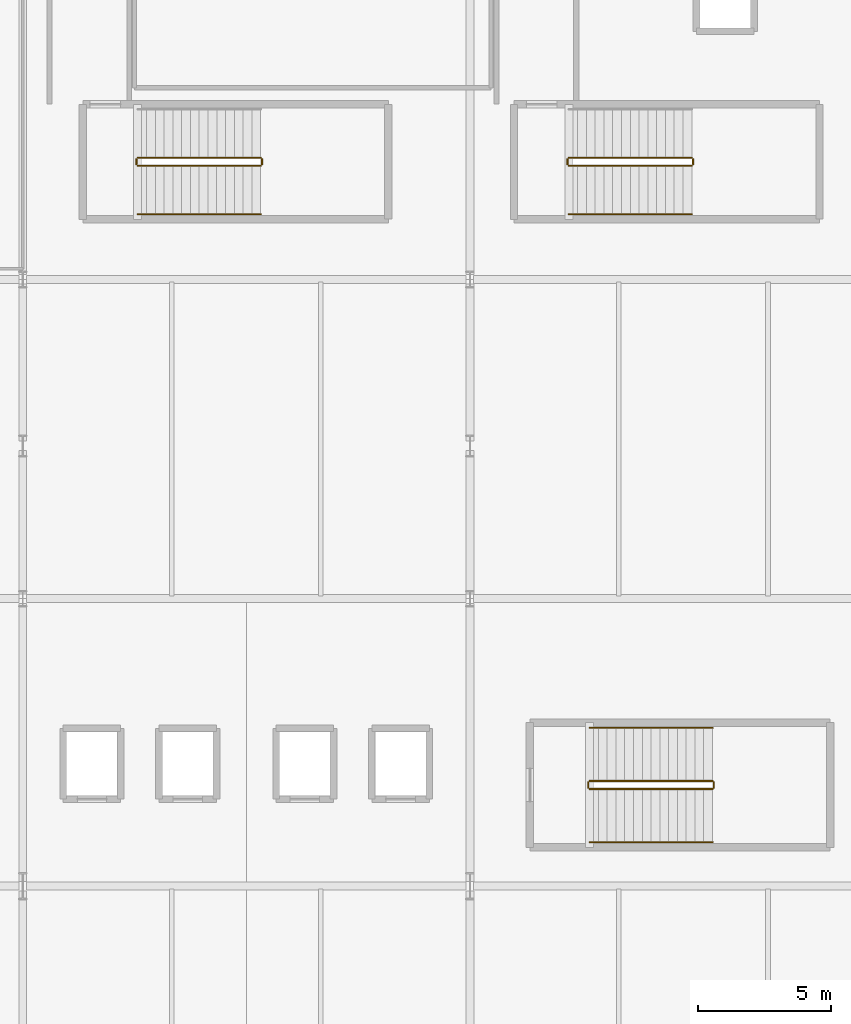
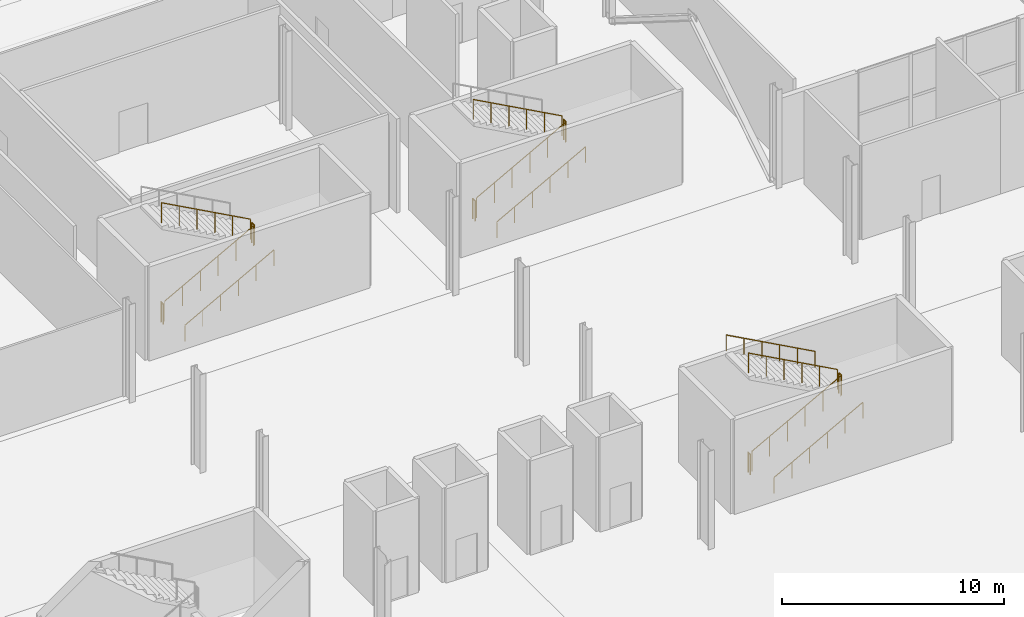
# One storey, part 78 of 87: 16 railings.
"""IFC4 building model written with IfcOpenShell, lengths in metres."""

from ifc_helpers import new_model, si_unit, direction, frame, origin, origin_2d, place, context, subcontext, project, spatial, circle, extrude, material, type_object, element, save


model = new_model("IFC4")

# Units and contexts
model_context = context("Model", 3, precision=1e-05, world=origin(), true_north=direction((0.0, 1.0)))
body_context = subcontext(model_context, "Body", "Model", "MODEL_VIEW")
ifc_project = project(units=[si_unit("LENGTHUNIT", "METRE"), si_unit("AREAUNIT", "SQUARE_METRE"), si_unit("VOLUMEUNIT", "CUBIC_METRE"), si_unit("PLANEANGLEUNIT", "RADIAN"), si_unit("MASSUNIT", "GRAM", prefix="KILO")], contexts=[model_context])

# Site, building, storey
site_placement = place(None, origin())
site = spatial("IfcSite", under=ifc_project, at=site_placement, CompositionType="ELEMENT")
building_placement = place(site_placement, origin())
building = spatial("IfcBuilding", under=site, at=building_placement, Name="Kimbaza Rail Terminus", CompositionType="ELEMENT")
storey_placement = place(building_placement, origin())
storey = spatial("IfcBuildingStorey", under=building, at=storey_placement, Name="L00", CompositionType="ELEMENT", Elevation=0.0)

# Railings
ifc_material_1 = material(Name="Brushed stainless steel handrail", Category="steel")
railing_type_1 = type_object("IfcRailingType", Name="ARC-RL-HND92", PredefinedType="HANDRAIL", material=ifc_material_1)
railing_1_placement = place(storey_placement, frame((109.919921875, 105.449951171875, 0.179931640625)))
element("IfcRailing", 1, at=railing_1_placement, inside=storey, type_object=railing_type_1, Name="L00 ST-M1 stair handrail 1", PredefinedType="HANDRAIL", context=body_context, shape_type="SweptSolid", body=[
    extrude(circle(Radius=0.02392578125, at=origin_2d()), frame((0.0, 0.0, 0.8759765625), z_axis=(0.877899118682, 0.0, 0.478845630049), x_axis=(0.0, 1.0, 0.0)), (0.0, 0.0, 1.0), 5.2626953125),
    extrude(circle(Radius=0.02099609375, at=origin_2d()), origin(), (0.0, 0.0, 1.0), 0.851806640625),
    extrude(circle(Radius=0.02099609375, at=origin_2d()), frame((0.924072265625, 0.0, 0.50390625)), (0.0, 0.0, 1.0), 0.851806640625),
    extrude(circle(Radius=0.02099609375, at=origin_2d()), frame((1.84814453125, 0.0, 1.008056640625)), (0.0, 0.0, 1.0), 0.851806640625),
    extrude(circle(Radius=0.02099609375, at=origin_2d()), frame((2.77197265625, 0.0, 1.511962890625)), (0.0, 0.0, 1.0), 0.851806640625),
    extrude(circle(Radius=0.02099609375, at=origin_2d()), frame((3.696044921875, 0.0, 2.01611328125)), (0.0, 0.0, 1.0), 0.851806640625),
    extrude(circle(Radius=0.02099609375, at=origin_2d()), frame((4.6201171875, 0.0, 2.52001953125)), (0.0, 0.0, 1.0), 0.851806640625),
])
railing_2_placement = place(storey_placement, frame((126.1201171875, 105.449951171875, 0.179931640625)))
element("IfcRailing", 2, at=railing_2_placement, inside=storey, type_object=railing_type_1, Name="L00 ST-E1 stair handrail 1", PredefinedType="HANDRAIL", context=body_context, shape_type="SweptSolid", body=[
    extrude(circle(Radius=0.02392578125, at=origin_2d()), frame((0.0, 0.0, 0.8759765625), z_axis=(0.877888480945, 0.0, 0.478865132395), x_axis=(0.0, 1.0, 0.0)), (0.0, 0.0, 1.0), 5.262451171875),
    extrude(circle(Radius=0.02099609375, at=origin_2d()), origin(), (0.0, 0.0, 1.0), 0.851806640625),
    extrude(circle(Radius=0.02099609375, at=origin_2d()), frame((0.924072265625, 0.0, 0.50390625)), (0.0, 0.0, 1.0), 0.851806640625),
    extrude(circle(Radius=0.02099609375, at=origin_2d()), frame((1.847900390625, 0.0, 1.008056640625)), (0.0, 0.0, 1.0), 0.851806640625),
    extrude(circle(Radius=0.02099609375, at=origin_2d()), frame((2.77197265625, 0.0, 1.511962890625)), (0.0, 0.0, 1.0), 0.851806640625),
    extrude(circle(Radius=0.02099609375, at=origin_2d()), frame((3.69580078125, 0.0, 2.01611328125)), (0.0, 0.0, 1.0), 0.851806640625),
    extrude(circle(Radius=0.02099609375, at=origin_2d()), frame((4.619873046875, 0.0, 2.52001953125)), (0.0, 0.0, 1.0), 0.851806640625),
])
railing_3_placement = place(storey_placement, frame((126.89990234375, 81.85009765625, 0.179931640625)))
element("IfcRailing", 3, at=railing_3_placement, inside=storey, type_object=railing_type_1, Name="L00 ST-C4 stair handrail 1", PredefinedType="HANDRAIL", context=body_context, shape_type="SweptSolid", body=[
    extrude(circle(Radius=0.02392578125, at=origin_2d()), frame((0.0, 0.0, 0.8759765625), z_axis=(0.877899118682, 0.0, 0.478845630049), x_axis=(0.0, 1.0, 0.0)), (0.0, 0.0, 1.0), 5.2626953125),
    extrude(circle(Radius=0.02099609375, at=origin_2d()), origin(), (0.0, 0.0, 1.0), 0.851806640625),
    extrude(circle(Radius=0.02099609375, at=origin_2d()), frame((0.924072265625, 0.0, 0.50390625)), (0.0, 0.0, 1.0), 0.851806640625),
    extrude(circle(Radius=0.02099609375, at=origin_2d()), frame((1.84814453125, 0.0, 1.008056640625)), (0.0, 0.0, 1.0), 0.851806640625),
    extrude(circle(Radius=0.02099609375, at=origin_2d()), frame((2.77197265625, 0.0, 1.511962890625)), (0.0, 0.0, 1.0), 0.851806640625),
    extrude(circle(Radius=0.02099609375, at=origin_2d()), frame((3.696044921875, 0.0, 2.01611328125)), (0.0, 0.0, 1.0), 0.851806640625),
    extrude(circle(Radius=0.02099609375, at=origin_2d()), frame((4.6201171875, 0.0, 2.52001953125)), (0.0, 0.0, 1.0), 0.851806640625),
])
railing_4_placement = place(storey_placement, frame((131.52001953125, 86.14990234375, 2.8798828125)))
element("IfcRailing", 4, at=railing_4_placement, inside=storey, type_object=railing_type_1, Name="L00 ST-C4 stair handrail 2", PredefinedType="HANDRAIL", context=body_context, shape_type="SweptSolid", body=[
    extrude(circle(Radius=0.02392578125, at=origin_2d()), frame((0.0, 0.0, 0.8759765625), z_axis=(-0.877899118682, 0.0, 0.478845630049), x_axis=(0.0, -1.0, 0.0)), (0.0, 0.0, 1.0), 5.2626953125),
    extrude(circle(Radius=0.02099609375, at=origin_2d()), origin(), (0.0, 0.0, 1.0), 0.851806640625),
    extrude(circle(Radius=0.02099609375, at=origin_2d()), frame((-0.924072265625, 0.0, 0.50390625)), (0.0, 0.0, 1.0), 0.851806640625),
    extrude(circle(Radius=0.02099609375, at=origin_2d()), frame((-1.84814453125, 0.0, 1.008056640625)), (0.0, 0.0, 1.0), 0.851806640625),
    extrude(circle(Radius=0.02099609375, at=origin_2d()), frame((-2.77197265625, 0.0, 1.511962890625)), (0.0, 0.0, 1.0), 0.851806640625),
    extrude(circle(Radius=0.02099609375, at=origin_2d()), frame((-3.696044921875, 0.0, 2.01611328125)), (0.0, 0.0, 1.0), 0.851806640625),
    extrude(circle(Radius=0.02099609375, at=origin_2d()), frame((-4.6201171875, 0.0, 2.52001953125)), (0.0, 0.0, 1.0), 0.851806640625),
])
ifc_material_2 = material(Name="Painted tubular steel stair well guard", Category="steel")
railing_type_2 = type_object("IfcRailingType", Name="ARC-RL-STGRD", PredefinedType="GUARDRAIL", material=ifc_material_2)
railing_5_placement = place(storey_placement, frame((109.919921875, 107.27001953125, 0.179931640625)))
element("IfcRailing", 5, at=railing_5_placement, inside=storey, type_object=railing_type_2, Name="L00 ST-M1 stair guard 1", PredefinedType="GUARDRAIL", context=body_context, shape_type="SweptSolid", body=[
    extrude(circle(Radius=0.02392578125, at=origin_2d()), frame((0.0, 0.0, 1.09619140625), z_axis=(0.877899118682, 0.0, 0.478845630049), x_axis=(0.0, 1.0, 0.0)), (0.0, 0.0, 1.0), 5.2626953125),
    extrude(circle(Radius=0.02099609375, at=origin_2d()), origin(), (0.0, 0.0, 1.0), 1.072021484375),
    extrude(circle(Radius=0.02099609375, at=origin_2d()), frame((0.924072265625, 0.0, 0.50390625)), (0.0, 0.0, 1.0), 1.072021484375),
    extrude(circle(Radius=0.02099609375, at=origin_2d()), frame((1.84814453125, 0.0, 1.008056640625)), (0.0, 0.0, 1.0), 1.072021484375),
    extrude(circle(Radius=0.02099609375, at=origin_2d()), frame((2.77197265625, 0.0, 1.511962890625)), (0.0, 0.0, 1.0), 1.072021484375),
    extrude(circle(Radius=0.02099609375, at=origin_2d()), frame((3.696044921875, 0.0, 2.01611328125)), (0.0, 0.0, 1.0), 1.072021484375),
    extrude(circle(Radius=0.02099609375, at=origin_2d()), frame((4.6201171875, 0.0, 2.52001953125)), (0.0, 0.0, 1.0), 1.072021484375),
])
railing_6_placement = place(storey_placement, frame((114.590087890625, 107.320068359375, 2.699951171875)))
element("IfcRailing", 6, at=railing_6_placement, inside=storey, type_object=railing_type_2, Name="L00 ST-M1 stair guard 2", PredefinedType="GUARDRAIL", context=body_context, shape_type="SweptSolid", body=[
    extrude(circle(Radius=0.02392578125, at=origin_2d()), frame((0.0, 0.0, 1.09619140625), z_axis=(0.0, 1.0, 0.0), x_axis=(-1.0, 0.0, 0.0)), (0.0, 0.0, 1.0), 0.199951171875),
    extrude(circle(Radius=0.02099609375, at=origin_2d()), origin(), (0.0, 0.0, 1.0), 1.072021484375),
    extrude(circle(Radius=0.02099609375, at=origin_2d()), frame((0.0, 0.199951171875, 0.0)), (0.0, 0.0, 1.0), 1.072021484375),
])
railing_7_placement = place(storey_placement, frame((114.5400390625, 107.570068359375, 2.8798828125)))
element("IfcRailing", 7, at=railing_7_placement, inside=storey, type_object=railing_type_2, Name="L00 ST-M1 stair guard 3", PredefinedType="GUARDRAIL", context=body_context, shape_type="SweptSolid", body=[
    extrude(circle(Radius=0.02392578125, at=origin_2d()), frame((0.0, 0.0, 1.09619140625), z_axis=(-0.877899118682, 0.0, 0.478845630049), x_axis=(0.0, -1.0, 0.0)), (0.0, 0.0, 1.0), 5.2626953125),
    extrude(circle(Radius=0.02099609375, at=origin_2d()), origin(), (0.0, 0.0, 1.0), 1.072021484375),
    extrude(circle(Radius=0.02099609375, at=origin_2d()), frame((-0.924072265625, 0.0, 0.50390625)), (0.0, 0.0, 1.0), 1.072021484375),
    extrude(circle(Radius=0.02099609375, at=origin_2d()), frame((-1.84814453125, 0.0, 1.008056640625)), (0.0, 0.0, 1.0), 1.072021484375),
    extrude(circle(Radius=0.02099609375, at=origin_2d()), frame((-2.77197265625, 0.0, 1.511962890625)), (0.0, 0.0, 1.0), 1.072021484375),
    extrude(circle(Radius=0.02099609375, at=origin_2d()), frame((-3.696044921875, 0.0, 2.01611328125)), (0.0, 0.0, 1.0), 1.072021484375),
    extrude(circle(Radius=0.02099609375, at=origin_2d()), frame((-4.6201171875, 0.0, 2.52001953125)), (0.0, 0.0, 1.0), 1.072021484375),
])
railing_8_placement = place(storey_placement, frame((109.8701171875, 107.320068359375, 0.0)))
element("IfcRailing", 8, at=railing_8_placement, inside=storey, type_object=railing_type_2, Name="L00 ST-M1 stair guard 4", PredefinedType="GUARDRAIL", context=body_context, shape_type="SweptSolid", body=[
    extrude(circle(Radius=0.02392578125, at=origin_2d()), frame((0.0, 0.0, 1.09619140625), z_axis=(0.0, 1.0, 0.0), x_axis=(-1.0, 0.0, 0.0)), (0.0, 0.0, 1.0), 0.199951171875),
    extrude(circle(Radius=0.02099609375, at=origin_2d()), origin(), (0.0, 0.0, 1.0), 1.072021484375),
    extrude(circle(Radius=0.02099609375, at=origin_2d()), frame((0.0, 0.199951171875, 0.0)), (0.0, 0.0, 1.0), 1.072021484375),
])
railing_9_placement = place(storey_placement, frame((126.1201171875, 107.27001953125, 0.179931640625)))
element("IfcRailing", 9, at=railing_9_placement, inside=storey, type_object=railing_type_2, Name="L00 ST-E1 stair guard 1", PredefinedType="GUARDRAIL", context=body_context, shape_type="SweptSolid", body=[
    extrude(circle(Radius=0.02392578125, at=origin_2d()), frame((0.0, 0.0, 1.09619140625), z_axis=(0.877888480945, 0.0, 0.478865132395), x_axis=(0.0, 1.0, 0.0)), (0.0, 0.0, 1.0), 5.262451171875),
    extrude(circle(Radius=0.02099609375, at=origin_2d()), origin(), (0.0, 0.0, 1.0), 1.072021484375),
    extrude(circle(Radius=0.02099609375, at=origin_2d()), frame((0.924072265625, 0.0, 0.50390625)), (0.0, 0.0, 1.0), 1.072021484375),
    extrude(circle(Radius=0.02099609375, at=origin_2d()), frame((1.847900390625, 0.0, 1.008056640625)), (0.0, 0.0, 1.0), 1.072021484375),
    extrude(circle(Radius=0.02099609375, at=origin_2d()), frame((2.77197265625, 0.0, 1.511962890625)), (0.0, 0.0, 1.0), 1.072021484375),
    extrude(circle(Radius=0.02099609375, at=origin_2d()), frame((3.69580078125, 0.0, 2.01611328125)), (0.0, 0.0, 1.0), 1.072021484375),
    extrude(circle(Radius=0.02099609375, at=origin_2d()), frame((4.619873046875, 0.0, 2.52001953125)), (0.0, 0.0, 1.0), 1.072021484375),
])
railing_10_placement = place(storey_placement, frame((130.7900390625, 107.320068359375, 2.699951171875)))
element("IfcRailing", 10, at=railing_10_placement, inside=storey, type_object=railing_type_2, Name="L00 ST-E1 stair guard 2", PredefinedType="GUARDRAIL", context=body_context, shape_type="SweptSolid", body=[
    extrude(circle(Radius=0.02392578125, at=origin_2d()), frame((0.0, 0.0, 1.09619140625), z_axis=(0.0, 1.0, 0.0), x_axis=(-1.0, 0.0, 0.0)), (0.0, 0.0, 1.0), 0.199951171875),
    extrude(circle(Radius=0.02099609375, at=origin_2d()), origin(), (0.0, 0.0, 1.0), 1.072021484375),
    extrude(circle(Radius=0.02099609375, at=origin_2d()), frame((0.0, 0.199951171875, 0.0)), (0.0, 0.0, 1.0), 1.072021484375),
])
railing_11_placement = place(storey_placement, frame((130.739990234375, 107.570068359375, 2.8798828125)))
element("IfcRailing", 11, at=railing_11_placement, inside=storey, type_object=railing_type_2, Name="L00 ST-E1 stair guard 3", PredefinedType="GUARDRAIL", context=body_context, shape_type="SweptSolid", body=[
    extrude(circle(Radius=0.02392578125, at=origin_2d()), frame((0.0, 0.0, 1.09619140625), z_axis=(-0.877888480945, 0.0, 0.478865132395), x_axis=(0.0, -1.0, 0.0)), (0.0, 0.0, 1.0), 5.262451171875),
    extrude(circle(Radius=0.02099609375, at=origin_2d()), origin(), (0.0, 0.0, 1.0), 1.072021484375),
    extrude(circle(Radius=0.02099609375, at=origin_2d()), frame((-0.924072265625, 0.0, 0.50390625)), (0.0, 0.0, 1.0), 1.072021484375),
    extrude(circle(Radius=0.02099609375, at=origin_2d()), frame((-1.847900390625, 0.0, 1.008056640625)), (0.0, 0.0, 1.0), 1.072021484375),
    extrude(circle(Radius=0.02099609375, at=origin_2d()), frame((-2.77197265625, 0.0, 1.511962890625)), (0.0, 0.0, 1.0), 1.072021484375),
    extrude(circle(Radius=0.02099609375, at=origin_2d()), frame((-3.69580078125, 0.0, 2.01611328125)), (0.0, 0.0, 1.0), 1.072021484375),
    extrude(circle(Radius=0.02099609375, at=origin_2d()), frame((-4.619873046875, 0.0, 2.52001953125)), (0.0, 0.0, 1.0), 1.072021484375),
])
railing_12_placement = place(storey_placement, frame((126.070068359375, 107.320068359375, 0.0)))
element("IfcRailing", 12, at=railing_12_placement, inside=storey, type_object=railing_type_2, Name="L00 ST-E1 stair guard 4", PredefinedType="GUARDRAIL", context=body_context, shape_type="SweptSolid", body=[
    extrude(circle(Radius=0.02392578125, at=origin_2d()), frame((0.0, 0.0, 1.09619140625), z_axis=(0.0, 1.0, 0.0), x_axis=(-1.0, 0.0, 0.0)), (0.0, 0.0, 1.0), 0.199951171875),
    extrude(circle(Radius=0.02099609375, at=origin_2d()), origin(), (0.0, 0.0, 1.0), 1.072021484375),
    extrude(circle(Radius=0.02099609375, at=origin_2d()), frame((0.0, 0.199951171875, 0.0)), (0.0, 0.0, 1.0), 1.072021484375),
])
railing_13_placement = place(storey_placement, frame((126.89990234375, 83.85009765625, 0.179931640625)))
element("IfcRailing", 13, at=railing_13_placement, inside=storey, type_object=railing_type_2, Name="L00 ST-C4 stair guard 1", PredefinedType="GUARDRAIL", context=body_context, shape_type="SweptSolid", body=[
    extrude(circle(Radius=0.02392578125, at=origin_2d()), frame((0.0, 0.0, 1.09619140625), z_axis=(0.877899118682, 0.0, 0.478845630049), x_axis=(0.0, 1.0, 0.0)), (0.0, 0.0, 1.0), 5.2626953125),
    extrude(circle(Radius=0.02099609375, at=origin_2d()), origin(), (0.0, 0.0, 1.0), 1.072021484375),
    extrude(circle(Radius=0.02099609375, at=origin_2d()), frame((0.924072265625, 0.0, 0.50390625)), (0.0, 0.0, 1.0), 1.072021484375),
    extrude(circle(Radius=0.02099609375, at=origin_2d()), frame((1.84814453125, 0.0, 1.008056640625)), (0.0, 0.0, 1.0), 1.072021484375),
    extrude(circle(Radius=0.02099609375, at=origin_2d()), frame((2.77197265625, 0.0, 1.511962890625)), (0.0, 0.0, 1.0), 1.072021484375),
    extrude(circle(Radius=0.02099609375, at=origin_2d()), frame((3.696044921875, 0.0, 2.01611328125)), (0.0, 0.0, 1.0), 1.072021484375),
    extrude(circle(Radius=0.02099609375, at=origin_2d()), frame((4.6201171875, 0.0, 2.52001953125)), (0.0, 0.0, 1.0), 1.072021484375),
])
railing_14_placement = place(storey_placement, frame((131.570068359375, 83.89990234375, 2.699951171875)))
element("IfcRailing", 14, at=railing_14_placement, inside=storey, type_object=railing_type_2, Name="L00 ST-C4 stair guard 2", PredefinedType="GUARDRAIL", context=body_context, shape_type="SweptSolid", body=[
    extrude(circle(Radius=0.02392578125, at=origin_2d()), frame((0.0, 0.0, 1.09619140625), z_axis=(0.0, 1.0, 0.0), x_axis=(-1.0, 0.0, 0.0)), (0.0, 0.0, 1.0), 0.2001953125),
    extrude(circle(Radius=0.02099609375, at=origin_2d()), origin(), (0.0, 0.0, 1.0), 1.072021484375),
    extrude(circle(Radius=0.02099609375, at=origin_2d()), frame((0.0, 0.2001953125, 0.0)), (0.0, 0.0, 1.0), 1.072021484375),
])
railing_15_placement = place(storey_placement, frame((131.52001953125, 84.14990234375, 2.8798828125)))
element("IfcRailing", 15, at=railing_15_placement, inside=storey, type_object=railing_type_2, Name="L00 ST-C4 stair guard 3", PredefinedType="GUARDRAIL", context=body_context, shape_type="SweptSolid", body=[
    extrude(circle(Radius=0.02392578125, at=origin_2d()), frame((0.0, 0.0, 1.09619140625), z_axis=(-0.877899118682, 0.0, 0.478845630049), x_axis=(0.0, -1.0, 0.0)), (0.0, 0.0, 1.0), 5.2626953125),
    extrude(circle(Radius=0.02099609375, at=origin_2d()), origin(), (0.0, 0.0, 1.0), 1.072021484375),
    extrude(circle(Radius=0.02099609375, at=origin_2d()), frame((-0.924072265625, 0.0, 0.50390625)), (0.0, 0.0, 1.0), 1.072021484375),
    extrude(circle(Radius=0.02099609375, at=origin_2d()), frame((-1.84814453125, 0.0, 1.008056640625)), (0.0, 0.0, 1.0), 1.072021484375),
    extrude(circle(Radius=0.02099609375, at=origin_2d()), frame((-2.77197265625, 0.0, 1.511962890625)), (0.0, 0.0, 1.0), 1.072021484375),
    extrude(circle(Radius=0.02099609375, at=origin_2d()), frame((-3.696044921875, 0.0, 2.01611328125)), (0.0, 0.0, 1.0), 1.072021484375),
    extrude(circle(Radius=0.02099609375, at=origin_2d()), frame((-4.6201171875, 0.0, 2.52001953125)), (0.0, 0.0, 1.0), 1.072021484375),
])
railing_16_placement = place(storey_placement, frame((126.85009765625, 83.89990234375, 0.0)))
element("IfcRailing", 16, at=railing_16_placement, inside=storey, type_object=railing_type_2, Name="L00 ST-C4 stair guard 4", PredefinedType="GUARDRAIL", context=body_context, shape_type="SweptSolid", body=[
    extrude(circle(Radius=0.02392578125, at=origin_2d()), frame((0.0, 0.0, 1.09619140625), z_axis=(0.0, 1.0, 0.0), x_axis=(-1.0, 0.0, 0.0)), (0.0, 0.0, 1.0), 0.2001953125),
    extrude(circle(Radius=0.02099609375, at=origin_2d()), origin(), (0.0, 0.0, 1.0), 1.072021484375),
    extrude(circle(Radius=0.02099609375, at=origin_2d()), frame((0.0, 0.2001953125, 0.0)), (0.0, 0.0, 1.0), 1.072021484375),
])

save(model, "model.ifc")
